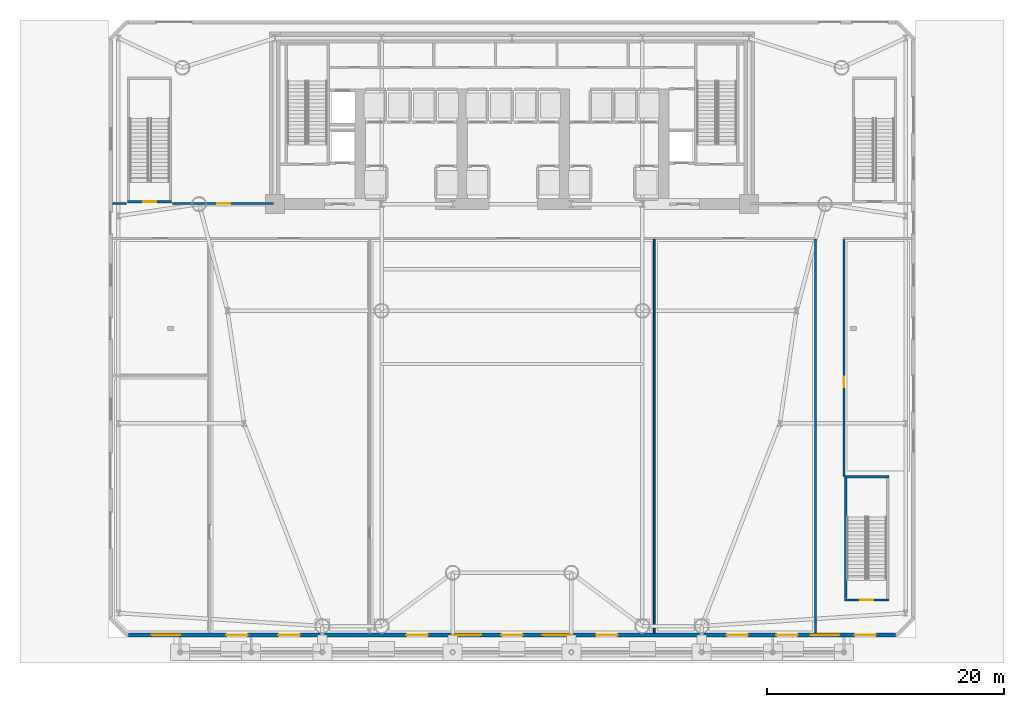
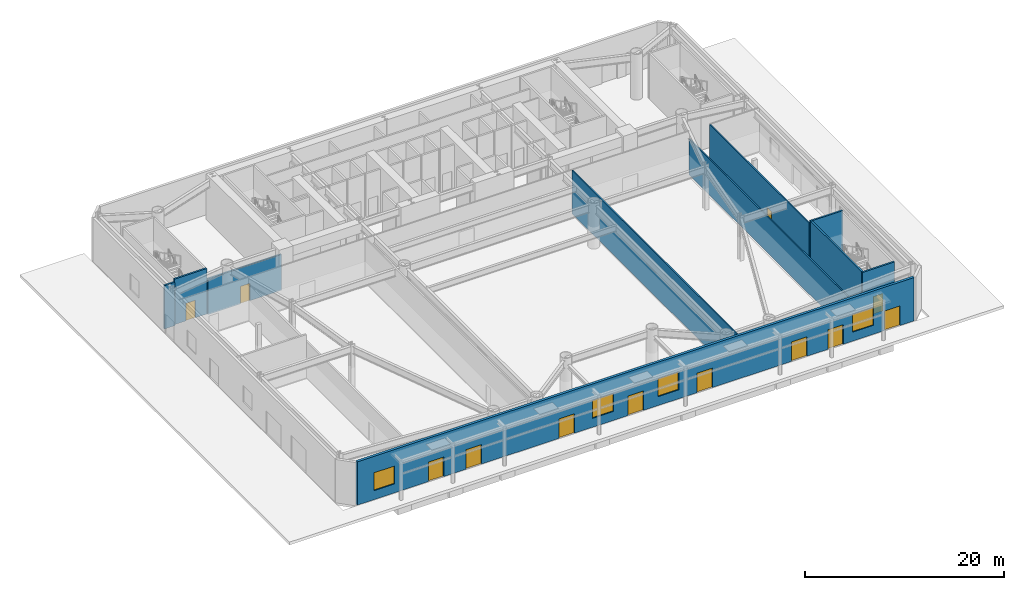
# One storey, part 7 of 20: 12 doors, 10 walls, 4 windows, 16 openings.
"""IFC4 building model written with IfcOpenShell, lengths in metres."""

from ifc_helpers import new_model, si_unit, direction, frame, frame_2d, origin, place, context, subcontext, project, spatial, rectangle, extrude, source, transform, mapped, material, layer, layer_set, type_object, element, fill, save


model = new_model("IFC4")

# Units and contexts
model_context = context("Model", 3, precision=1e-05, world=origin(), true_north=direction((0.0, 1.0)))
body_context = subcontext(model_context, "Body", "Model", "MODEL_VIEW")
ifc_project = project(units=[si_unit("LENGTHUNIT", "METRE"), si_unit("AREAUNIT", "SQUARE_METRE"), si_unit("VOLUMEUNIT", "CUBIC_METRE"), si_unit("PLANEANGLEUNIT", "RADIAN"), si_unit("MASSUNIT", "GRAM", prefix="KILO")], contexts=[model_context])

# Site, building, storey
site_placement = place(None, origin())
site = spatial("IfcSite", under=ifc_project, at=site_placement, CompositionType="ELEMENT")
building_placement = place(site_placement, origin())
building = spatial("IfcBuilding", under=site, at=building_placement, Name="Vaeldorn Concourse Tower", CompositionType="ELEMENT")
storey_placement = place(building_placement, origin())
storey = spatial("IfcBuildingStorey", under=building, at=storey_placement, Name="L00", CompositionType="ELEMENT", Elevation=0.0)

# Wall, openings, doors, windows
ifc_material_1 = material(Name="Precast concrete C40/50", Category="concrete")
ifc_layer_1 = layer(ifc_material_1, 0.300048828125)
ifc_layer_set_1 = layer_set([ifc_layer_1], Name="Precast concrete C40/50")
wall_type_1 = type_object("IfcWallType", Name="WL-EXT-STATION-300", PredefinedType="STANDARD", material=ifc_layer_set_1)
wall_1_placement = place(storey_placement, frame((66.340087890625, 0.14990234375, 0.0), z_axis=(0.0, 0.0, 1.0), x_axis=(-1.0, 0.0, 0.0)))
wall_1 = element("IfcWall", 1, at=wall_1_placement, inside=storey, type_object=wall_type_1, Name="Station Ground Exterior Wall EW-L00-S", PredefinedType="STANDARD", context=body_context, shape_type="SweptSolid", body=[
    extrude(rectangle(XDim=64.68017578125, YDim=0.300048828125, at=frame_2d((32.340087890625, 0.0))), origin(), (0.0, 0.0, 1.0), 5.320068359375),
])
opening_1_placement = place(wall_1_placement, frame((54.639892578125, 0.0, 0.0)))
opening_1 = element("IfcOpeningElement", 2, at=opening_1_placement, cuts=wall_1, Name="Opening EX-1", PredefinedType="OPENING", context=body_context, shape_type="SweptSolid", body=[
    extrude(rectangle(XDim=1.800048828125, YDim=2.39990234375, at=frame_2d((0.89990234375, 1.199951171875))), frame((0.0, 0.16015625, 0.0), z_axis=(0.0, -1.0, 0.0), x_axis=(1.0, 0.0, 0.0)), (0.0, 0.0, 1.0), 0.320068359375),
])
opening_2_placement = place(wall_1_placement, frame((50.239990234375, 0.0, 0.0)))
opening_2 = element("IfcOpeningElement", 3, at=opening_2_placement, cuts=wall_1, Name="Opening EX-1", PredefinedType="OPENING", context=body_context, shape_type="SweptSolid", body=[
    extrude(rectangle(XDim=1.800048828125, YDim=2.39990234375, at=frame_2d((0.89990234375, 1.199951171875))), frame((0.0, 0.16015625, 0.0), z_axis=(0.0, -1.0, 0.0), x_axis=(1.0, 0.0, 0.0)), (0.0, 0.0, 1.0), 0.320068359375),
])
opening_3_placement = place(wall_1_placement, frame((39.43994140625, 0.0, 0.0)))
opening_3 = element("IfcOpeningElement", 4, at=opening_3_placement, cuts=wall_1, Name="Opening EX-1", PredefinedType="OPENING", context=body_context, shape_type="SweptSolid", body=[
    extrude(rectangle(XDim=1.800048828125, YDim=2.39990234375, at=frame_2d((0.89990234375, 1.199951171875))), frame((0.0, 0.16015625, 0.0), z_axis=(0.0, -1.0, 0.0), x_axis=(1.0, 0.0, 0.0)), (0.0, 0.0, 1.0), 0.320068359375),
])
opening_4_placement = place(wall_1_placement, frame((31.43994140625, 0.0, 0.0)))
opening_4 = element("IfcOpeningElement", 5, at=opening_4_placement, cuts=wall_1, Name="Opening EX-1", PredefinedType="OPENING", context=body_context, shape_type="SweptSolid", body=[
    extrude(rectangle(XDim=1.800048828125, YDim=2.39990234375, at=frame_2d((0.89990234375, 1.199951171875))), frame((0.0, 0.16015625, 0.0), z_axis=(0.0, -1.0, 0.0), x_axis=(1.0, 0.0, 0.0)), (0.0, 0.0, 1.0), 0.320068359375),
])
opening_5_placement = place(wall_1_placement, frame((23.43994140625, 0.0, 0.0)))
opening_5 = element("IfcOpeningElement", 6, at=opening_5_placement, cuts=wall_1, Name="Opening EX-1", PredefinedType="OPENING", context=body_context, shape_type="SweptSolid", body=[
    extrude(rectangle(XDim=1.800048828125, YDim=2.39990234375, at=frame_2d((0.89990234375, 1.199951171875))), frame((0.0, 0.16015625, 0.0), z_axis=(0.0, -1.0, 0.0), x_axis=(1.0, 0.0, 0.0)), (0.0, 0.0, 1.0), 0.320068359375),
])
opening_6_placement = place(wall_1_placement, frame((12.43994140625, 0.0, 0.0)))
opening_6 = element("IfcOpeningElement", 7, at=opening_6_placement, cuts=wall_1, Name="Opening EX-1", PredefinedType="OPENING", context=body_context, shape_type="SweptSolid", body=[
    extrude(rectangle(XDim=1.800048828125, YDim=2.39990234375, at=frame_2d((0.89990234375, 1.199951171875))), frame((0.0, 0.16015625, 0.0), z_axis=(0.0, -1.0, 0.0), x_axis=(1.0, 0.0, 0.0)), (0.0, 0.0, 1.0), 0.320068359375),
])
opening_7_placement = place(wall_1_placement, frame((8.239990234375, 0.0, 0.0)))
opening_7 = element("IfcOpeningElement", 8, at=opening_7_placement, cuts=wall_1, Name="Opening EX-1", PredefinedType="OPENING", context=body_context, shape_type="SweptSolid", body=[
    extrude(rectangle(XDim=1.800048828125, YDim=2.39990234375, at=frame_2d((0.89990234375, 1.199951171875))), frame((0.0, 0.16015625, 0.0), z_axis=(0.0, -1.0, 0.0), x_axis=(1.0, 0.0, 0.0)), (0.0, 0.0, 1.0), 0.320068359375),
])
opening_8_placement = place(wall_1_placement, frame((1.639892578125, 0.0, 0.0)))
opening_8 = element("IfcOpeningElement", 9, at=opening_8_placement, cuts=wall_1, Name="Opening EX-1", PredefinedType="OPENING", context=body_context, shape_type="SweptSolid", body=[
    extrude(rectangle(XDim=1.800048828125, YDim=2.39990234375, at=frame_2d((0.89990234375, 1.199951171875))), frame((0.0, 0.16015625, 0.0), z_axis=(0.0, -1.0, 0.0), x_axis=(1.0, 0.0, 0.0)), (0.0, 0.0, 1.0), 0.320068359375),
])
opening_9_placement = place(wall_1_placement, frame((60.340087890625, 0.0, 1.10009765625)))
opening_9 = element("IfcOpeningElement", 10, at=opening_9_placement, cuts=wall_1, Name="Opening WN-1", PredefinedType="OPENING", context=body_context, shape_type="SweptSolid", body=[
    extrude(rectangle(XDim=2.39990234375, YDim=2.199951171875, at=frame_2d((1.199951171875, 1.10009765625))), frame((0.0, 0.16015625, 0.0), z_axis=(0.0, -1.0, 0.0), x_axis=(1.0, 0.0, 0.0)), (0.0, 0.0, 1.0), 0.320068359375),
])
opening_10_placement = place(wall_1_placement, frame((34.93994140625, 0.0, 1.10009765625)))
opening_10 = element("IfcOpeningElement", 11, at=opening_10_placement, cuts=wall_1, Name="Opening WN-1", PredefinedType="OPENING", context=body_context, shape_type="SweptSolid", body=[
    extrude(rectangle(XDim=2.39990234375, YDim=2.199951171875, at=frame_2d((1.199951171875, 1.10009765625))), frame((0.0, 0.16015625, 0.0), z_axis=(0.0, -1.0, 0.0), x_axis=(1.0, 0.0, 0.0)), (0.0, 0.0, 1.0), 0.320068359375),
])
opening_11_placement = place(wall_1_placement, frame((27.340087890625, 0.0, 1.10009765625)))
opening_11 = element("IfcOpeningElement", 12, at=opening_11_placement, cuts=wall_1, Name="Opening WN-1", PredefinedType="OPENING", context=body_context, shape_type="SweptSolid", body=[
    extrude(rectangle(XDim=2.39990234375, YDim=2.199951171875, at=frame_2d((1.199951171875, 1.10009765625))), frame((0.0, 0.16015625, 0.0), z_axis=(0.0, -1.0, 0.0), x_axis=(1.0, 0.0, 0.0)), (0.0, 0.0, 1.0), 0.320068359375),
])
opening_12_placement = place(wall_1_placement, frame((4.739990234375, 0.0, 1.10009765625)))
opening_12 = element("IfcOpeningElement", 13, at=opening_12_placement, cuts=wall_1, Name="Opening WN-1", PredefinedType="OPENING", context=body_context, shape_type="SweptSolid", body=[
    extrude(rectangle(XDim=2.39990234375, YDim=2.199951171875, at=frame_2d((1.199951171875, 1.10009765625))), frame((0.0, 0.16015625, 0.0), z_axis=(0.0, -1.0, 0.0), x_axis=(1.0, 0.0, 0.0)), (0.0, 0.0, 1.0), 0.320068359375),
])
ifc_material_2 = material(Name="Anodised Bronze Aluminium", Category="aluminium")
door_type_1 = type_object("IfcDoorType", Name="DR-EXTERIOR-1800", OperationType="DOUBLE_DOOR_SINGLE_SWING", PredefinedType="DOOR", material=ifc_material_2)
shared_shape_1 = source(origin(), body_context, "Body", "SweptSolid", [
    extrude(rectangle(XDim=1.800048828125, YDim=2.39990234375, at=frame_2d((0.89990234375, 1.199951171875))), frame((0.0, 0.02490234375, 0.0), z_axis=(0.0, -1.0, 0.0), x_axis=(1.0, 0.0, 0.0)), (0.0, 0.0, 1.0), 0.050048828125),
])
door_1_placement = place(opening_1_placement, origin())
door_1 = element("IfcDoor", 14, at=door_1_placement, inside=storey, type_object=door_type_1, Name="Pedestrian Final Exit Door EX-01", OperationType="DOUBLE_DOOR_SINGLE_SWING", OverallHeight=2.39990234375, OverallWidth=1.800048828125, PredefinedType="DOOR", context=body_context, shape_type="MappedRepresentation", body=[
    mapped(shared_shape_1, transform((0.0, 0.0, 0.0), scale=1.0)),
])
fill(opening_1, door_1)
door_2_placement = place(opening_2_placement, origin())
door_2 = element("IfcDoor", 15, at=door_2_placement, inside=storey, type_object=door_type_1, Name="Pedestrian Final Exit Door EX-02", OperationType="DOUBLE_DOOR_SINGLE_SWING", OverallHeight=2.39990234375, OverallWidth=1.800048828125, PredefinedType="DOOR", context=body_context, shape_type="MappedRepresentation", body=[
    mapped(shared_shape_1, transform((0.0, 0.0, 0.0), scale=1.0)),
])
fill(opening_2, door_2)
door_3_placement = place(opening_3_placement, origin())
door_3 = element("IfcDoor", 16, at=door_3_placement, inside=storey, type_object=door_type_1, Name="Pedestrian Final Exit Door EX-03", OperationType="DOUBLE_DOOR_SINGLE_SWING", OverallHeight=2.39990234375, OverallWidth=1.800048828125, PredefinedType="DOOR", context=body_context, shape_type="MappedRepresentation", body=[
    mapped(shared_shape_1, transform((0.0, 0.0, 0.0), scale=1.0)),
])
fill(opening_3, door_3)
door_4_placement = place(opening_4_placement, origin())
door_4 = element("IfcDoor", 17, at=door_4_placement, inside=storey, type_object=door_type_1, Name="Pedestrian Final Exit Door EX-04", OperationType="DOUBLE_DOOR_SINGLE_SWING", OverallHeight=2.39990234375, OverallWidth=1.800048828125, PredefinedType="DOOR", context=body_context, shape_type="MappedRepresentation", body=[
    mapped(shared_shape_1, transform((0.0, 0.0, 0.0), scale=1.0)),
])
fill(opening_4, door_4)
door_5_placement = place(opening_5_placement, origin())
door_5 = element("IfcDoor", 18, at=door_5_placement, inside=storey, type_object=door_type_1, Name="Pedestrian Final Exit Door EX-05", OperationType="DOUBLE_DOOR_SINGLE_SWING", OverallHeight=2.39990234375, OverallWidth=1.800048828125, PredefinedType="DOOR", context=body_context, shape_type="MappedRepresentation", body=[
    mapped(shared_shape_1, transform((0.0, 0.0, 0.0), scale=1.0)),
])
fill(opening_5, door_5)
door_6_placement = place(opening_6_placement, origin())
door_6 = element("IfcDoor", 19, at=door_6_placement, inside=storey, type_object=door_type_1, Name="Pedestrian Final Exit Door EX-06", OperationType="DOUBLE_DOOR_SINGLE_SWING", OverallHeight=2.39990234375, OverallWidth=1.800048828125, PredefinedType="DOOR", context=body_context, shape_type="MappedRepresentation", body=[
    mapped(shared_shape_1, transform((0.0, 0.0, 0.0), scale=1.0)),
])
fill(opening_6, door_6)
door_7_placement = place(opening_7_placement, origin())
door_7 = element("IfcDoor", 20, at=door_7_placement, inside=storey, type_object=door_type_1, Name="Pedestrian Final Exit Door EX-07", OperationType="DOUBLE_DOOR_SINGLE_SWING", OverallHeight=2.39990234375, OverallWidth=1.800048828125, PredefinedType="DOOR", context=body_context, shape_type="MappedRepresentation", body=[
    mapped(shared_shape_1, transform((0.0, 0.0, 0.0), scale=1.0)),
])
fill(opening_7, door_7)
door_8_placement = place(opening_8_placement, origin())
door_8 = element("IfcDoor", 21, at=door_8_placement, inside=storey, type_object=door_type_1, Name="Pedestrian Final Exit Door EX-08", OperationType="DOUBLE_DOOR_SINGLE_SWING", OverallHeight=2.39990234375, OverallWidth=1.800048828125, PredefinedType="DOOR", context=body_context, shape_type="MappedRepresentation", body=[
    mapped(shared_shape_1, transform((0.0, 0.0, 0.0), scale=1.0)),
])
fill(opening_8, door_8)
ifc_material_3 = material(Name="Bronze Tinted Low-E Insulated Glass", Category="glass")
window_type = type_object("IfcWindowType", Name="WN-POD-2400x2200", PartitioningType="SINGLE_PANEL", PredefinedType="WINDOW", material=ifc_material_3)
shared_shape_2 = source(origin(), body_context, "Body", "SweptSolid", [
    extrude(rectangle(XDim=2.39990234375, YDim=2.199951171875, at=frame_2d((1.199951171875, 1.10009765625))), frame((0.0, 0.030029296875, 0.0), z_axis=(0.0, -1.0, 0.0), x_axis=(1.0, 0.0, 0.0)), (0.0, 0.0, 1.0), 0.06005859375),
])
window_1_placement = place(opening_9_placement, origin())
window_1 = element("IfcWindow", 22, at=window_1_placement, inside=storey, type_object=window_type, Name="Concourse Vision Window WN-S01", OverallHeight=2.199951171875, OverallWidth=2.39990234375, PartitioningType="SINGLE_PANEL", PredefinedType="WINDOW", context=body_context, shape_type="MappedRepresentation", body=[
    mapped(shared_shape_2, transform((0.0, 0.0, 0.0), scale=1.0)),
])
fill(opening_9, window_1)
window_2_placement = place(opening_10_placement, origin())
window_2 = element("IfcWindow", 23, at=window_2_placement, inside=storey, type_object=window_type, Name="Concourse Vision Window WN-S02", OverallHeight=2.199951171875, OverallWidth=2.39990234375, PartitioningType="SINGLE_PANEL", PredefinedType="WINDOW", context=body_context, shape_type="MappedRepresentation", body=[
    mapped(shared_shape_2, transform((0.0, 0.0, 0.0), scale=1.0)),
])
fill(opening_10, window_2)
window_3_placement = place(opening_11_placement, origin())
window_3 = element("IfcWindow", 24, at=window_3_placement, inside=storey, type_object=window_type, Name="Concourse Vision Window WN-S03", OverallHeight=2.199951171875, OverallWidth=2.39990234375, PartitioningType="SINGLE_PANEL", PredefinedType="WINDOW", context=body_context, shape_type="MappedRepresentation", body=[
    mapped(shared_shape_2, transform((0.0, 0.0, 0.0), scale=1.0)),
])
fill(opening_11, window_3)
window_4_placement = place(opening_12_placement, origin())
window_4 = element("IfcWindow", 25, at=window_4_placement, inside=storey, type_object=window_type, Name="Concourse Vision Window WN-S04", OverallHeight=2.199951171875, OverallWidth=2.39990234375, PartitioningType="SINGLE_PANEL", PredefinedType="WINDOW", context=body_context, shape_type="MappedRepresentation", body=[
    mapped(shared_shape_2, transform((0.0, 0.0, 0.0), scale=1.0)),
])
fill(opening_12, window_4)

# Wall
ifc_material_4 = material(Name="Gypsum Board Partition", Category="gypsum")
ifc_layer_2 = layer(ifc_material_4, 0.14990234375)
ifc_layer_set_2 = layer_set([ifc_layer_2], Name="Gypsum Board Partition")
wall_type_2 = type_object("IfcWallType", Name="WL-PART-150", PredefinedType="PARTITIONING", material=ifc_layer_set_2)
wall_2_placement = place(storey_placement, frame((59.60009765625, 0.300048828125, 0.0), z_axis=(0.0, 0.0, 1.0), x_axis=(0.0, 1.0, 0.0)))
element("IfcWall", 26, at=wall_2_placement, inside=storey, type_object=wall_type_2, Name="Interior Wall PW-L00-SPW", PredefinedType="PARTITIONING", context=body_context, shape_type="SweptSolid", body=[
    extrude(rectangle(XDim=33.219970703125, YDim=0.14990234375, at=frame_2d((16.60986328125, 0.0))), origin(), (0.0, 0.0, 1.0), 4.39990234375),
])

# Wall, opening, door
wall_3_placement = place(storey_placement, frame((62.0, 13.550048828125, 0.0), z_axis=(0.0, 0.0, 1.0), x_axis=(0.0, 1.0, 0.0)))
wall_3 = element("IfcWall", 27, at=wall_3_placement, inside=storey, type_object=wall_type_2, Name="Interior Wall PW-L00-SPE", PredefinedType="PARTITIONING", context=body_context, shape_type="SweptSolid", body=[
    extrude(rectangle(XDim=19.969970703125, YDim=0.14990234375, at=frame_2d((9.98486328125, 0.0))), origin(), (0.0, 0.0, 1.0), 5.320068359375),
])
opening_13_placement = place(wall_3_placement, frame((7.5, 0.0, 0.0)))
opening_13 = element("IfcOpeningElement", 28, at=opening_13_placement, cuts=wall_3, Name="Opening D-03", PredefinedType="OPENING", context=body_context, shape_type="SweptSolid", body=[
    extrude(rectangle(XDim=0.89990234375, YDim=2.14990234375, at=frame_2d((0.449951171875, 1.074951171875))), frame((0.0, 0.0849609375, 0.0), z_axis=(0.0, -1.0, 0.0), x_axis=(1.0, 0.0, 0.0)), (0.0, 0.0, 1.0), 0.169921875),
])
ifc_material_5 = material(Name="Acoustic Bronze-Framed Glass Door", Category="glass")
door_type_2 = type_object("IfcDoorType", Name="DR-INT-900", OperationType="NOTDEFINED", PredefinedType="DOOR", material=ifc_material_5)
shared_shape_3 = source(origin(), body_context, "Body", "SweptSolid", [
    extrude(rectangle(XDim=0.89990234375, YDim=2.14990234375, at=frame_2d((0.449951171875, 1.074951171875))), frame((0.0, 0.02490234375, 0.0), z_axis=(0.0, -1.0, 0.0), x_axis=(1.0, 0.0, 0.0)), (0.0, 0.0, 1.0), 0.050048828125),
])
door_9_placement = place(opening_13_placement, origin())
door_9 = element("IfcDoor", 29, at=door_9_placement, inside=storey, type_object=door_type_2, Name="Interior Door DR-L00-SEC", OperationType="SINGLE_SWING_RIGHT", OverallHeight=2.14990234375, OverallWidth=0.89990234375, PredefinedType="DOOR", context=body_context, shape_type="MappedRepresentation", body=[
    mapped(shared_shape_3, transform((0.0, 0.0, 0.0), scale=1.0)),
])
fill(opening_13, door_9)

# Wall
wall_4_placement = place(storey_placement, frame((46.0, 0.300048828125, 0.0), z_axis=(0.0, 0.0, 1.0), x_axis=(0.0, 1.0, 0.0)))
element("IfcWall", 30, at=wall_4_placement, inside=storey, type_object=wall_type_2, Name="Interior Wall PW-L00-W4", PredefinedType="PARTITIONING", context=body_context, shape_type="SweptSolid", body=[
    extrude(rectangle(XDim=33.219970703125, YDim=0.14990234375, at=frame_2d((16.60986328125, 0.0))), origin(), (0.0, 0.0, 1.0), 5.320068359375),
])

# Wall, opening, door
ifc_material_6 = material(Name="Concrete C50/60", Category="concrete")
ifc_layer_3 = layer(ifc_material_6, 0.199951171875)
ifc_layer_set_3 = layer_set([ifc_layer_3], Name="Concrete C50/60")
wall_type_3 = type_object("IfcWallType", Name="WL-SHAFT-200", PredefinedType="SOLIDWALL", material=ifc_layer_set_3)
wall_5_placement = place(storey_placement, frame((1.550048828125, 36.699951171875, 0.0), z_axis=(0.0, 0.0, 1.0), x_axis=(1.0, 0.0, 0.0)))
wall_5 = element("IfcWall", 31, at=wall_5_placement, inside=storey, type_object=wall_type_3, Name="Stair Shaft Wall CW-L00-ST-3-S", PredefinedType="SOLIDWALL", context=body_context, shape_type="SweptSolid", body=[
    extrude(rectangle(XDim=3.75, YDim=0.199951171875, at=frame_2d((1.875, 0.0))), origin(), (0.0, 0.0, 1.0), 5.60009765625),
])
opening_14_placement = place(wall_5_placement, frame((1.324951171875, 0.0, 0.0)))
opening_14 = element("IfcOpeningElement", 32, at=opening_14_placement, cuts=wall_5, Name="Opening D-01", PredefinedType="OPENING", context=body_context, shape_type="SweptSolid", body=[
    extrude(rectangle(XDim=1.10009765625, YDim=2.14990234375, at=frame_2d((0.550048828125, 1.074951171875))), frame((0.0, 0.10986328125, 0.0), z_axis=(0.0, -1.0, 0.0), x_axis=(1.0, 0.0, 0.0)), (0.0, 0.0, 1.0), 0.219970703125),
])
ifc_material_7 = material(Name="Fire-Rated Timber and Steel Leaf", Category="steel")
door_type_3 = type_object("IfcDoorType", Name="DR-FD60-1100", OperationType="NOTDEFINED", PredefinedType="DOOR", material=ifc_material_7)
shared_shape_4 = source(origin(), body_context, "Body", "SweptSolid", [
    extrude(rectangle(XDim=1.10009765625, YDim=2.14990234375, at=frame_2d((0.550048828125, 1.074951171875))), frame((0.0, 0.02490234375, 0.0), z_axis=(0.0, -1.0, 0.0), x_axis=(1.0, 0.0, 0.0)), (0.0, 0.0, 1.0), 0.050048828125),
])
door_10_placement = place(opening_14_placement, origin())
door_10 = element("IfcDoor", 33, at=door_10_placement, inside=storey, type_object=door_type_3, Name="Interior Door DR-L00-ST-3", OperationType="SINGLE_SWING_LEFT", OverallHeight=2.14990234375, OverallWidth=1.10009765625, PredefinedType="DOOR", context=body_context, shape_type="MappedRepresentation", body=[
    mapped(shared_shape_4, transform((0.0, 0.0, 0.0), scale=1.0)),
])
fill(opening_14, door_10)

wall_6_placement = place(storey_placement, frame((62.050048828125, 3.10009765625, 0.0), z_axis=(0.0, 0.0, 1.0), x_axis=(1.0, 0.0, 0.0)))
wall_6 = element("IfcWall", 34, at=wall_6_placement, inside=storey, type_object=wall_type_3, Name="Stair Shaft Wall CW-L00-ST-5-S", PredefinedType="SOLIDWALL", context=body_context, shape_type="SweptSolid", body=[
    extrude(rectangle(XDim=3.75, YDim=0.199951171875, at=frame_2d((1.875, 0.0))), origin(), (0.0, 0.0, 1.0), 5.60009765625),
])
opening_15_placement = place(wall_6_placement, frame((1.324951171875, 0.0, 0.0)))
opening_15 = element("IfcOpeningElement", 35, at=opening_15_placement, cuts=wall_6, Name="Opening D-01", PredefinedType="OPENING", context=body_context, shape_type="SweptSolid", body=[
    extrude(rectangle(XDim=1.10009765625, YDim=2.14990234375, at=frame_2d((0.550048828125, 1.074951171875))), frame((0.0, 0.10986328125, 0.0), z_axis=(0.0, -1.0, 0.0), x_axis=(1.0, 0.0, 0.0)), (0.0, 0.0, 1.0), 0.219970703125),
])
door_11_placement = place(opening_15_placement, origin())
door_11 = element("IfcDoor", 36, at=door_11_placement, inside=storey, type_object=door_type_3, Name="Interior Door DR-L00-ST-5", OperationType="SINGLE_SWING_RIGHT", OverallHeight=2.14990234375, OverallWidth=1.10009765625, PredefinedType="DOOR", context=body_context, shape_type="MappedRepresentation", body=[
    mapped(shared_shape_4, transform((0.0, 0.0, 0.0), scale=1.0)),
])
fill(opening_15, door_11)

# Walls
wall_7_placement = place(storey_placement, frame((62.050048828125, 13.5, 0.0), z_axis=(0.0, 0.0, 1.0), x_axis=(1.0, 0.0, 0.0)))
element("IfcWall", 37, at=wall_7_placement, inside=storey, type_object=wall_type_3, Name="Stair Shaft Wall CW-L00-ST-5-N", PredefinedType="SOLIDWALL", context=body_context, shape_type="SweptSolid", body=[
    extrude(rectangle(XDim=3.75, YDim=0.199951171875, at=frame_2d((1.875, 0.0))), origin(), (0.0, 0.0, 1.0), 5.60009765625),
])
wall_8_placement = place(storey_placement, frame((62.14990234375, 3.2099609375, 0.0), z_axis=(0.0, 0.0, 1.0), x_axis=(0.0, 1.0, 0.0)))
element("IfcWall", 38, at=wall_8_placement, inside=storey, type_object=wall_type_3, Name="Stair Shaft Wall CW-L00-ST-5-W", PredefinedType="SOLIDWALL", context=body_context, shape_type="SweptSolid", body=[
    extrude(rectangle(XDim=10.179931640625, YDim=0.199951171875, at=frame_2d((5.08984375, 0.0))), origin(), (0.0, 0.0, 1.0), 5.60009765625),
])
wall_9_placement = place(storey_placement, frame((0.300048828125, 36.550048828125, 0.0), z_axis=(0.0, 0.0, 1.0), x_axis=(1.0, 0.0, 0.0)))
element("IfcWall", 39, at=wall_9_placement, inside=storey, type_object=wall_type_3, Name="Interior Wall PW-L00-BNW1", PredefinedType="SOLIDWALL", context=body_context, shape_type="SweptSolid", body=[
    extrude(rectangle(XDim=1.199951171875, YDim=0.199951171875, at=frame_2d((0.60009765625, 0.0))), origin(), (0.0, 0.0, 1.0), 5.320068359375),
])

# Wall, opening, door
wall_10_placement = place(storey_placement, frame((5.35009765625, 36.550048828125, 0.0), z_axis=(0.0, 0.0, 1.0), x_axis=(1.0, 0.0, 0.0)))
wall_10 = element("IfcWall", 40, at=wall_10_placement, inside=storey, type_object=wall_type_3, Name="Interior Wall PW-L00-BNW2", PredefinedType="SOLIDWALL", context=body_context, shape_type="SweptSolid", body=[
    extrude(rectangle(XDim=8.5498046875, YDim=0.199951171875, at=frame_2d((4.27490234375, 0.0))), origin(), (0.0, 0.0, 1.0), 4.39990234375),
])
opening_16_placement = place(wall_10_placement, frame((3.800048828125, 0.0, 0.0)))
opening_16 = element("IfcOpeningElement", 41, at=opening_16_placement, cuts=wall_10, Name="Opening D-01", PredefinedType="OPENING", context=body_context, shape_type="SweptSolid", body=[
    extrude(rectangle(XDim=1.10009765625, YDim=2.14990234375, at=frame_2d((0.550048828125, 1.074951171875))), frame((0.0, 0.10986328125, 0.0), z_axis=(0.0, -1.0, 0.0), x_axis=(1.0, 0.0, 0.0)), (0.0, 0.0, 1.0), 0.219970703125),
])
door_12_placement = place(opening_16_placement, origin())
door_12 = element("IfcDoor", 42, at=door_12_placement, inside=storey, type_object=door_type_3, Name="Interior Door DR-L00-BOHW", OperationType="SINGLE_SWING_LEFT", OverallHeight=2.14990234375, OverallWidth=1.10009765625, PredefinedType="DOOR", context=body_context, shape_type="MappedRepresentation", body=[
    mapped(shared_shape_4, transform((0.0, 0.0, 0.0), scale=1.0)),
])
fill(opening_16, door_12)

save(model, "model.ifc")
